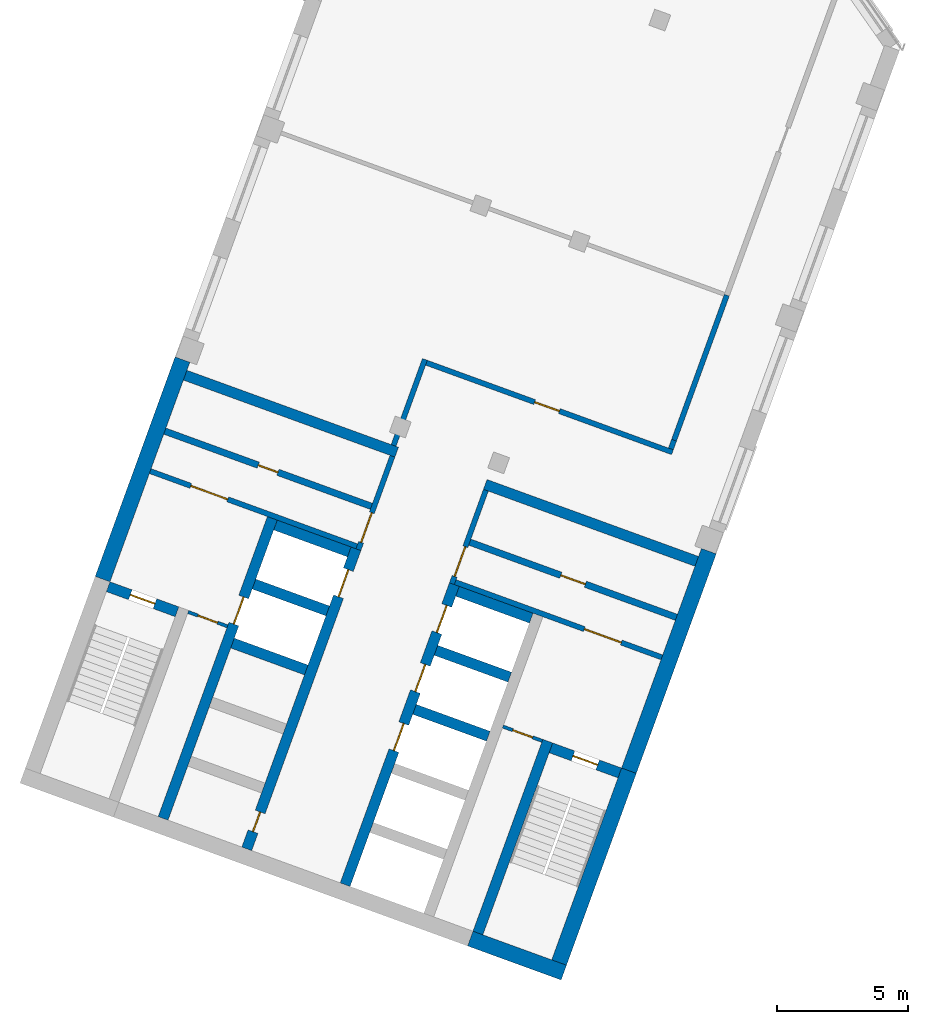
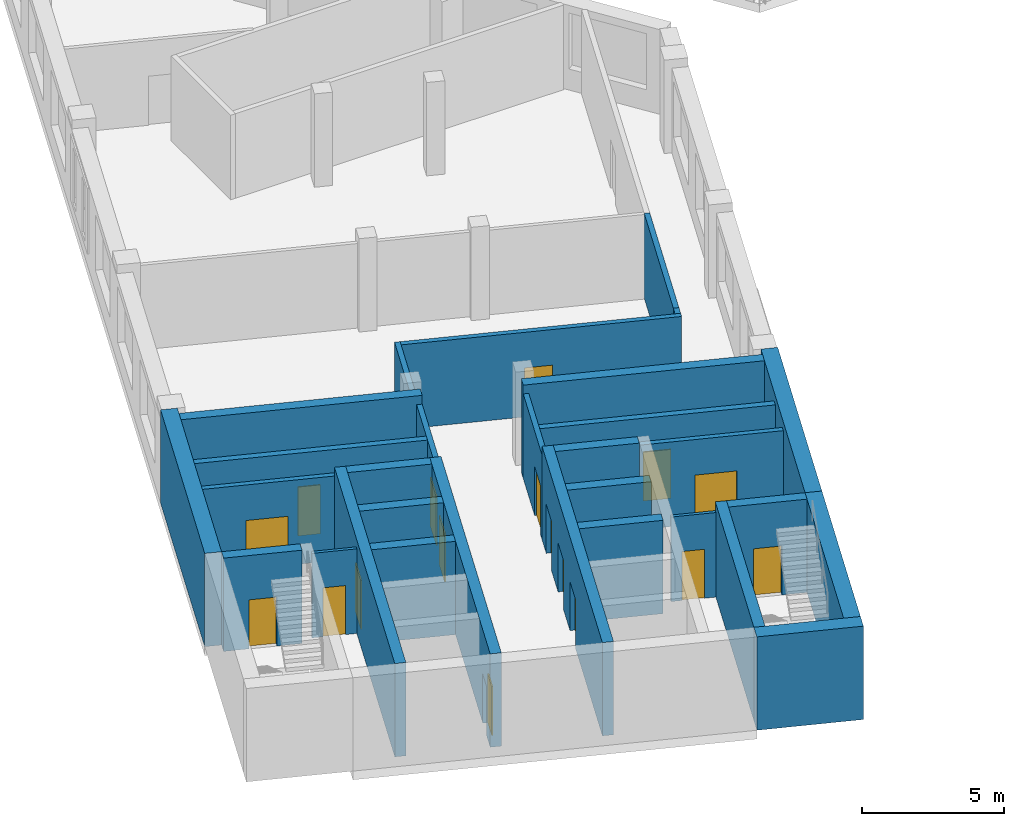
# One storey, part 4 of 11: 30 walls, 17 doors, 17 openings.
"""IFC4 building model written with IfcOpenShell, lengths in metres."""

from ifc_helpers import new_model, si_unit, direction, frame, frame_2d, origin, place, context, subcontext, project, spatial, rectangle, extrude, material, layer, layer_set, type_object, element, fill, save


model = new_model("IFC4")

# Units and contexts
model_context = context("Model", 3, precision=1e-05, world=origin(), true_north=direction((0.0, 1.0)))
body_context = subcontext(model_context, "Body", "Model", "MODEL_VIEW")
ifc_project = project(units=[si_unit("LENGTHUNIT", "METRE"), si_unit("AREAUNIT", "SQUARE_METRE"), si_unit("VOLUMEUNIT", "CUBIC_METRE"), si_unit("PLANEANGLEUNIT", "RADIAN"), si_unit("MASSUNIT", "GRAM", prefix="KILO")], contexts=[model_context])

# Site, building, storey
site_placement = place(None, origin())
site = spatial("IfcSite", under=ifc_project, at=site_placement, CompositionType="ELEMENT")
building_placement = place(site_placement, origin())
building = spatial("IfcBuilding", under=site, at=building_placement, Name="Skarvind Civic Tower", CompositionType="ELEMENT")
storey_placement = place(building_placement, frame((0.0, 0.0, 109.0)))
storey = spatial("IfcBuildingStorey", under=building, at=storey_placement, Name="L25", CompositionType="ELEMENT", Elevation=109.0)

# Wall, opening, door
ifc_material_1 = material(Name="Fire-rated masonry partition", Category="masonry")
ifc_layer_1 = layer(ifc_material_1, 0.199951171875)
ifc_layer_set_1 = layer_set([ifc_layer_1], Name="Core enclosure wall 200")
wall_type_1 = type_object("IfcWallType", Name="Core enclosure wall 200", PredefinedType="PARTITIONING", material=ifc_layer_set_1)
wall_1_placement = place(storey_placement, frame((31.491455078125, 93.693359375, 0.0), z_axis=(0.0, 0.0, 1.0), x_axis=(0.341995824804, 0.939701471648, 0.0)))
wall_1 = element("IfcWall", 1, at=wall_1_placement, inside=storey, type_object=wall_type_1, Name="Core wall C2", PredefinedType="PARTITIONING", context=body_context, shape_type="SweptSolid", body=[
    extrude(rectangle(XDim=3.800048828125, YDim=0.199951171875, at=frame_2d((1.89990234375, 0.0))), origin(), (0.0, 0.0, 1.0), 3.625),
])
opening_1_placement = place(wall_1_placement, frame((0.300048828125, 0.0, 0.0)))
opening_1 = element("IfcOpeningElement", 2, at=opening_1_placement, cuts=wall_1, Name="Opening D-L25-C2-06", PredefinedType="OPENING", context=body_context, shape_type="SweptSolid", body=[
    extrude(rectangle(XDim=1.199951171875, YDim=2.10009765625, at=frame_2d((0.60009765625, 1.050048828125))), frame((0.0, 0.10986328125, 0.0), z_axis=(0.0, -1.0, 0.0), x_axis=(1.0, 0.0, 0.0)), (0.0, 0.0, 1.0), 0.219970703125),
])
ifc_material_2 = material(Name="Fire-rated steel door", Category="steel")
door_type_1 = type_object("IfcDoorType", Name="Core lobby door 1200", OperationType="NOTDEFINED", PredefinedType="DOOR", material=ifc_material_2)
door_1_placement = place(opening_1_placement, origin())
door_1 = element("IfcDoor", 3, at=door_1_placement, inside=storey, type_object=door_type_1, Name="Fire door", OperationType="DOUBLE_DOOR_SINGLE_SWING", OverallHeight=2.10009765625, OverallWidth=1.199951171875, PredefinedType="DOOR", context=body_context, shape_type="SweptSolid", body=[
    extrude(rectangle(XDim=1.199951171875, YDim=2.10009765625, at=frame_2d((0.60009765625, 1.050048828125))), frame((0.0, 0.02490234375, 0.0), z_axis=(0.0, -1.0, 0.0), x_axis=(1.0, 0.0, 0.0)), (0.0, 0.0, 1.0), 0.050048828125),
])
fill(opening_1, door_1)

wall_2_placement = place(storey_placement, frame((23.5380859375, 96.6943359375, 0.0), z_axis=(0.0, 0.0, 1.0), x_axis=(0.939691552312, -0.342023078919, 0.0)))
wall_2 = element("IfcWall", 4, at=wall_2_placement, inside=storey, type_object=wall_type_1, Name="Core wall C2", PredefinedType="PARTITIONING", context=body_context, shape_type="SweptSolid", body=[
    extrude(rectangle(XDim=8.400146484375, YDim=0.199951171875, at=frame_2d((4.2001953125, 0.0))), origin(), (0.0, 0.0, 1.0), 3.625),
])
opening_2_placement = place(wall_2_placement, frame((1.64990234375, 0.0, 0.0)))
opening_2 = element("IfcOpeningElement", 5, at=opening_2_placement, cuts=wall_2, Name="Opening D-L25-C2-07", PredefinedType="OPENING", context=body_context, shape_type="SweptSolid", body=[
    extrude(rectangle(XDim=1.5, YDim=2.10009765625, at=frame_2d((0.75, 1.050048828125))), frame((0.0, 0.10986328125, 0.0), z_axis=(0.0, -1.0, 0.0), x_axis=(1.0, 0.0, 0.0)), (0.0, 0.0, 1.0), 0.219970703125),
])
door_type_2 = type_object("IfcDoorType", Name="Fire door 1500", OperationType="NOTDEFINED", PredefinedType="DOOR", material=ifc_material_2)
door_2_placement = place(opening_2_placement, origin())
door_2 = element("IfcDoor", 6, at=door_2_placement, inside=storey, type_object=door_type_2, Name="Fire door", OperationType="DOUBLE_DOOR_SINGLE_SWING", OverallHeight=2.10009765625, OverallWidth=1.5, PredefinedType="DOOR", context=body_context, shape_type="SweptSolid", body=[
    extrude(rectangle(XDim=1.5, YDim=2.10009765625, at=frame_2d((0.75, 1.050048828125))), frame((0.0, 0.02490234375, 0.0), z_axis=(0.0, -1.0, 0.0), x_axis=(1.0, 0.0, 0.0)), (0.0, 0.0, 1.0), 0.050048828125),
])
fill(opening_2, door_2)

wall_3_placement = place(storey_placement, frame((36.36181640625, 95.96435546875, 0.0), z_axis=(0.0, 0.0, 1.0), x_axis=(-0.341995824804, -0.939701471648, 0.0)))
wall_3 = element("IfcWall", 7, at=wall_3_placement, inside=storey, type_object=wall_type_1, Name="Core wall C2", PredefinedType="PARTITIONING", context=body_context, shape_type="SweptSolid", body=[
    extrude(rectangle(XDim=3.800048828125, YDim=0.199951171875, at=frame_2d((1.89990234375, 0.0))), origin(), (0.0, 0.0, 1.0), 3.625),
])
opening_3_placement = place(wall_3_placement, frame((2.300048828125, 0.0, 0.0)))
opening_3 = element("IfcOpeningElement", 8, at=opening_3_placement, cuts=wall_3, Name="Opening D-L25-C2-11", PredefinedType="OPENING", context=body_context, shape_type="SweptSolid", body=[
    extrude(rectangle(XDim=1.199951171875, YDim=2.10009765625, at=frame_2d((0.60009765625, 1.050048828125))), frame((0.0, 0.10986328125, 0.0), z_axis=(0.0, -1.0, 0.0), x_axis=(1.0, 0.0, 0.0)), (0.0, 0.0, 1.0), 0.219970703125),
])
door_3_placement = place(opening_3_placement, origin())
door_3 = element("IfcDoor", 9, at=door_3_placement, inside=storey, type_object=door_type_1, Name="Fire door", OperationType="DOUBLE_DOOR_SINGLE_SWING", OverallHeight=2.10009765625, OverallWidth=1.199951171875, PredefinedType="DOOR", context=body_context, shape_type="SweptSolid", body=[
    extrude(rectangle(XDim=1.199951171875, YDim=2.10009765625, at=frame_2d((0.60009765625, 1.050048828125))), frame((0.0, 0.02490234375, 0.0), z_axis=(0.0, -1.0, 0.0), x_axis=(1.0, 0.0, 0.0)), (0.0, 0.0, 1.0), 0.050048828125),
])
fill(opening_3, door_3)

wall_4_placement = place(storey_placement, frame((35.1904296875, 92.453369140625, 0.0), z_axis=(0.0, 0.0, 1.0), x_axis=(0.939691552312, -0.342023078919, 0.0)))
wall_4 = element("IfcWall", 10, at=wall_4_placement, inside=storey, type_object=wall_type_1, Name="Core wall C2", PredefinedType="PARTITIONING", context=body_context, shape_type="SweptSolid", body=[
    extrude(rectangle(XDim=8.400146484375, YDim=0.199951171875, at=frame_2d((4.2001953125, 0.0))), origin(), (0.0, 0.0, 1.0), 3.625),
])
opening_4_placement = place(wall_4_placement, frame((5.25, 0.0, 0.0)))
opening_4 = element("IfcOpeningElement", 11, at=opening_4_placement, cuts=wall_4, Name="Opening D-L25-C2-12", PredefinedType="OPENING", context=body_context, shape_type="SweptSolid", body=[
    extrude(rectangle(XDim=1.5, YDim=2.10009765625, at=frame_2d((0.75, 1.050048828125))), frame((0.0, 0.10986328125, 0.0), z_axis=(0.0, -1.0, 0.0), x_axis=(1.0, 0.0, 0.0)), (0.0, 0.0, 1.0), 0.219970703125),
])
door_4_placement = place(opening_4_placement, origin())
door_4 = element("IfcDoor", 12, at=door_4_placement, inside=storey, type_object=door_type_2, Name="Fire door", OperationType="DOUBLE_DOOR_SINGLE_SWING", OverallHeight=2.10009765625, OverallWidth=1.5, PredefinedType="DOOR", context=body_context, shape_type="SweptSolid", body=[
    extrude(rectangle(XDim=1.5, YDim=2.10009765625, at=frame_2d((0.75, 1.050048828125))), frame((0.0, 0.02490234375, 0.0), z_axis=(0.0, -1.0, 0.0), x_axis=(1.0, 0.0, 0.0)), (0.0, 0.0, 1.0), 0.050048828125),
])
fill(opening_4, door_4)

# Wall
ifc_material_3 = material(Name="Concrete C80", Category="concrete")
ifc_layer_2 = layer(ifc_material_3, 0.39990234375)
ifc_layer_set_2 = layer_set([ifc_layer_2], Name="Core wall 400 C80")
wall_type_2 = type_object("IfcWallType", Name="Core wall 400 C80", PredefinedType="SHEAR", material=ifc_layer_set_2)
wall_5_placement = place(storey_placement, frame((36.057861328125, 79.04833984375, 0.0), z_axis=(0.0, 0.0, 1.0), x_axis=(0.342016982193, 0.939693771338, 0.0)))
element("IfcWall", 13, at=wall_5_placement, inside=storey, type_object=wall_type_2, Name="Core wall C2 south stair inner L25", PredefinedType="SHEAR", context=body_context, shape_type="SweptSolid", body=[
    extrude(rectangle(XDim=7.800048828125, YDim=0.39990234375, at=frame_2d((3.89990234375, 0.0))), origin(), (0.0, 0.0, 1.0), 4.0),
])

# Wall, opening, door
wall_6_placement = place(storey_placement, frame((41.476318359375, 85.163818359375, 0.0), z_axis=(0.0, 0.0, 1.0), x_axis=(-0.939678810556, 0.342058084236, 0.0)))
wall_6 = element("IfcWall", 14, at=wall_6_placement, inside=storey, type_object=wall_type_2, Name="Core wall C2 south stair end L25", PredefinedType="SHEAR", context=body_context, shape_type="SweptSolid", body=[
    extrude(rectangle(XDim=2.800048828125, YDim=0.39990234375, at=frame_2d((1.39990234375, 0.0))), origin(), (0.0, 0.0, 1.0), 4.0),
])
opening_5_placement = place(wall_6_placement, frame((0.89990234375, 0.0, 0.0)))
opening_5 = element("IfcOpeningElement", 15, at=opening_5_placement, cuts=wall_6, Name="Opening D-L25-C2-13", PredefinedType="OPENING", context=body_context, shape_type="SweptSolid", body=[
    extrude(rectangle(XDim=1.0, YDim=2.10009765625, at=frame_2d((0.5, 1.050048828125))), frame((0.0, 0.2099609375, 0.0), z_axis=(0.0, -1.0, 0.0), x_axis=(1.0, 0.0, 0.0)), (0.0, 0.0, 1.0), 0.419921875),
])
door_type_3 = type_object("IfcDoorType", Name="Fire door 1000", OperationType="NOTDEFINED", PredefinedType="DOOR", material=ifc_material_2)
door_5_placement = place(opening_5_placement, origin())
door_5 = element("IfcDoor", 16, at=door_5_placement, inside=storey, type_object=door_type_3, Name="Fire door", OperationType="SINGLE_SWING_RIGHT", OverallHeight=2.10009765625, OverallWidth=1.0, PredefinedType="DOOR", context=body_context, shape_type="SweptSolid", body=[
    extrude(rectangle(XDim=1.0, YDim=2.10009765625, at=frame_2d((0.5, 1.050048828125))), frame((0.0, 0.02490234375, 0.0), z_axis=(0.0, -1.0, 0.0), x_axis=(1.0, 0.0, 0.0)), (0.0, 0.0, 1.0), 0.050048828125),
])
fill(opening_5, door_5)

wall_7_placement = place(storey_placement, frame((24.56201171875, 91.3203125, 0.0), z_axis=(0.0, 0.0, 1.0), x_axis=(-0.939717030584, 0.341953070509, 0.0)))
wall_7 = element("IfcWall", 17, at=wall_7_placement, inside=storey, type_object=wall_type_2, Name="Core wall C2 north stair end L25", PredefinedType="SHEAR", context=body_context, shape_type="SweptSolid", body=[
    extrude(rectangle(XDim=2.800048828125, YDim=0.39990234375, at=frame_2d((1.39990234375, 0.0))), origin(), (0.0, 0.0, 1.0), 4.0),
])
opening_6_placement = place(wall_7_placement, frame((0.89990234375, 0.0, 0.0)))
opening_6 = element("IfcOpeningElement", 18, at=opening_6_placement, cuts=wall_7, Name="Opening D-L25-C2-08", PredefinedType="OPENING", context=body_context, shape_type="SweptSolid", body=[
    extrude(rectangle(XDim=1.0, YDim=2.10009765625, at=frame_2d((0.5, 1.050048828125))), frame((0.0, 0.2099609375, 0.0), z_axis=(0.0, -1.0, 0.0), x_axis=(1.0, 0.0, 0.0)), (0.0, 0.0, 1.0), 0.419921875),
])
door_6_placement = place(opening_6_placement, origin())
door_6 = element("IfcDoor", 19, at=door_6_placement, inside=storey, type_object=door_type_3, Name="Fire door", OperationType="SINGLE_SWING_LEFT", OverallHeight=2.10009765625, OverallWidth=1.0, PredefinedType="DOOR", context=body_context, shape_type="SweptSolid", body=[
    extrude(rectangle(XDim=1.0, YDim=2.10009765625, at=frame_2d((0.5, 1.050048828125))), frame((0.0, 0.02490234375, 0.0), z_axis=(0.0, -1.0, 0.0), x_axis=(1.0, 0.0, 0.0)), (0.0, 0.0, 1.0), 0.050048828125),
])
fill(opening_6, door_6)

# Wall, openings, doors
wall_8_placement = place(storey_placement, frame((30.983642578125, 80.895263671875, 0.0), z_axis=(0.0, 0.0, 1.0), x_axis=(0.342021021735, 0.939692301071, 0.0)))
wall_8 = element("IfcWall", 20, at=wall_8_placement, inside=storey, type_object=wall_type_2, Name="Core wall C2 south lift row front L25", PredefinedType="SHEAR", context=body_context, shape_type="SweptSolid", body=[
    extrude(rectangle(XDim=12.199951171875, YDim=0.39990234375, at=frame_2d((6.10009765625, 0.0))), origin(), (0.0, 0.0, 1.0), 4.0),
])
opening_7_placement = place(wall_8_placement, frame((5.449951171875, 0.0, 0.0)))
opening_7 = element("IfcOpeningElement", 21, at=opening_7_placement, cuts=wall_8, Name="Opening LD27208", PredefinedType="OPENING", context=body_context, shape_type="SweptSolid", body=[
    extrude(rectangle(XDim=1.10009765625, YDim=2.10009765625, at=frame_2d((0.550048828125, 1.050048828125))), frame((0.0, 0.2099609375, 0.0), z_axis=(0.0, -1.0, 0.0), x_axis=(1.0, 0.0, 0.0)), (0.0, 0.0, 1.0), 0.419921875),
])
opening_8_placement = place(wall_8_placement, frame((7.85009765625, 0.0, 0.0)))
opening_8 = element("IfcOpeningElement", 22, at=opening_8_placement, cuts=wall_8, Name="Opening LD27209", PredefinedType="OPENING", context=body_context, shape_type="SweptSolid", body=[
    extrude(rectangle(XDim=1.10009765625, YDim=2.10009765625, at=frame_2d((0.550048828125, 1.050048828125))), frame((0.0, 0.2099609375, 0.0), z_axis=(0.0, -1.0, 0.0), x_axis=(1.0, 0.0, 0.0)), (0.0, 0.0, 1.0), 0.419921875),
])
opening_9_placement = place(wall_8_placement, frame((10.25, 0.0, 0.0)))
opening_9 = element("IfcOpeningElement", 23, at=opening_9_placement, cuts=wall_8, Name="Opening LD27210", PredefinedType="OPENING", context=body_context, shape_type="SweptSolid", body=[
    extrude(rectangle(XDim=1.10009765625, YDim=2.10009765625, at=frame_2d((0.550048828125, 1.050048828125))), frame((0.0, 0.2099609375, 0.0), z_axis=(0.0, -1.0, 0.0), x_axis=(1.0, 0.0, 0.0)), (0.0, 0.0, 1.0), 0.419921875),
])
ifc_material_4 = material(Name="Stainless steel landing door", Category="steel")
door_type_4 = type_object("IfcDoorType", Name="Lift landing door 1100", OperationType="DOUBLE_DOOR_SLIDING", PredefinedType="DOOR", material=ifc_material_4)
door_7_placement = place(opening_7_placement, origin())
door_7 = element("IfcDoor", 24, at=door_7_placement, inside=storey, type_object=door_type_4, Name="Lift landing door", OperationType="DOUBLE_DOOR_SLIDING", OverallHeight=2.10009765625, OverallWidth=1.10009765625, PredefinedType="DOOR", context=body_context, shape_type="SweptSolid", body=[
    extrude(rectangle(XDim=1.10009765625, YDim=2.10009765625, at=frame_2d((0.550048828125, 1.050048828125))), frame((0.0, 0.02490234375, 0.0), z_axis=(0.0, -1.0, 0.0), x_axis=(1.0, 0.0, 0.0)), (0.0, 0.0, 1.0), 0.050048828125),
])
fill(opening_7, door_7)
door_8_placement = place(opening_8_placement, origin())
door_8 = element("IfcDoor", 25, at=door_8_placement, inside=storey, type_object=door_type_4, Name="Lift landing door", OperationType="DOUBLE_DOOR_SLIDING", OverallHeight=2.10009765625, OverallWidth=1.10009765625, PredefinedType="DOOR", context=body_context, shape_type="SweptSolid", body=[
    extrude(rectangle(XDim=1.10009765625, YDim=2.10009765625, at=frame_2d((0.550048828125, 1.050048828125))), frame((0.0, 0.02490234375, 0.0), z_axis=(0.0, -1.0, 0.0), x_axis=(1.0, 0.0, 0.0)), (0.0, 0.0, 1.0), 0.050048828125),
])
fill(opening_8, door_8)
door_9_placement = place(opening_9_placement, origin())
door_9 = element("IfcDoor", 26, at=door_9_placement, inside=storey, type_object=door_type_4, Name="Lift landing door", OperationType="DOUBLE_DOOR_SLIDING", OverallHeight=2.10009765625, OverallWidth=1.10009765625, PredefinedType="DOOR", context=body_context, shape_type="SweptSolid", body=[
    extrude(rectangle(XDim=1.10009765625, YDim=2.10009765625, at=frame_2d((0.550048828125, 1.050048828125))), frame((0.0, 0.02490234375, 0.0), z_axis=(0.0, -1.0, 0.0), x_axis=(1.0, 0.0, 0.0)), (0.0, 0.0, 1.0), 0.050048828125),
])
fill(opening_9, door_9)

# Walls
for number, where, z_axis, x_axis, name in (
    (27, (36.453125, 86.56640625, 0.0), (0.0, 0.0, 1.0), (-0.939686455819, 0.342037080957, 0.0), "Core wall C2 south lift row division 3 L25"),
    (28, (37.27392578125, 88.82177734375, 0.0), (0.0, 0.0, 1.0), (-0.939686455819, 0.342037080957, 0.0), "Core wall C2 south lift row division 4 L25"),
):
    element("IfcWall", number, at=place(storey_placement, frame(where, z_axis=z_axis, x_axis=x_axis)), inside=storey, type_object=wall_type_2, Name=name, PredefinedType="SHEAR", context=body_context, shape_type="SweptSolid", body=[
        extrude(rectangle(XDim=3.0, YDim=0.39990234375, at=frame_2d((1.5, 0.0))), origin(), (0.0, 0.0, 1.0), 4.0),
    ])
wall_9_placement = place(storey_placement, frame((38.0947265625, 91.076904296875, 0.0), z_axis=(0.0, 0.0, 1.0), x_axis=(-0.939676934218, 0.342063238742, 0.0)))
element("IfcWall", 29, at=wall_9_placement, inside=storey, type_object=wall_type_2, Name="Core wall C2 south lift row division 5 L25", PredefinedType="SHEAR", context=body_context, shape_type="SweptSolid", body=[
    extrude(rectangle(XDim=2.999755859375, YDim=0.39990234375, at=frame_2d((1.5, 0.0))), origin(), (0.0, 0.0, 1.0), 4.0),
])

# Wall, openings, doors
wall_10_placement = place(storey_placement, frame((27.224853515625, 82.26318359375, 0.0), z_axis=(0.0, 0.0, 1.0), x_axis=(0.342014590177, 0.939694641948, 0.0)))
wall_10 = element("IfcWall", 30, at=wall_10_placement, inside=storey, type_object=wall_type_2, Name="Core wall C2 north lift row front L25", PredefinedType="SHEAR", context=body_context, shape_type="SweptSolid", body=[
    extrude(rectangle(XDim=12.2001953125, YDim=0.39990234375, at=frame_2d((6.10009765625, 0.0))), origin(), (0.0, 0.0, 1.0), 4.0),
])
opening_10_placement = place(wall_10_placement, frame((10.25, 0.0, 0.0)))
opening_10 = element("IfcOpeningElement", 31, at=opening_10_placement, cuts=wall_10, Name="Opening LD27205", PredefinedType="OPENING", context=body_context, shape_type="SweptSolid", body=[
    extrude(rectangle(XDim=1.10009765625, YDim=2.10009765625, at=frame_2d((0.550048828125, 1.050048828125))), frame((0.0, 0.2099609375, 0.0), z_axis=(0.0, -1.0, 0.0), x_axis=(1.0, 0.0, 0.0)), (0.0, 0.0, 1.0), 0.419921875),
])
opening_11_placement = place(wall_10_placement, frame((0.699951171875, 0.0, 0.0)))
opening_11 = element("IfcOpeningElement", 32, at=opening_11_placement, cuts=wall_10, Name="Opening D-L25-C2-05", PredefinedType="OPENING", context=body_context, shape_type="SweptSolid", body=[
    extrude(rectangle(XDim=0.800048828125, YDim=2.10009765625, at=frame_2d((0.39990234375, 1.050048828125))), frame((0.0, 0.2099609375, 0.0), z_axis=(0.0, -1.0, 0.0), x_axis=(1.0, 0.0, 0.0)), (0.0, 0.0, 1.0), 0.419921875),
])
door_type_5 = type_object("IfcDoorType", Name="Core riser door 800", OperationType="NOTDEFINED", PredefinedType="DOOR", material=ifc_material_2)
door_10_placement = place(opening_11_placement, origin())
door_10 = element("IfcDoor", 33, at=door_10_placement, inside=storey, type_object=door_type_5, Name="Riser door", OperationType="SINGLE_SWING_LEFT", OverallHeight=2.10009765625, OverallWidth=0.800048828125, PredefinedType="DOOR", context=body_context, shape_type="SweptSolid", body=[
    extrude(rectangle(XDim=0.800048828125, YDim=2.10009765625, at=frame_2d((0.39990234375, 1.050048828125))), frame((0.0, 0.02490234375, 0.0), z_axis=(0.0, -1.0, 0.0), x_axis=(1.0, 0.0, 0.0)), (0.0, 0.0, 1.0), 0.050048828125),
])
fill(opening_11, door_10)
door_11_placement = place(opening_10_placement, origin())
door_11 = element("IfcDoor", 34, at=door_11_placement, inside=storey, type_object=door_type_4, Name="Lift landing door", OperationType="DOUBLE_DOOR_SLIDING", OverallHeight=2.10009765625, OverallWidth=1.10009765625, PredefinedType="DOOR", context=body_context, shape_type="SweptSolid", body=[
    extrude(rectangle(XDim=1.10009765625, YDim=2.10009765625, at=frame_2d((0.550048828125, 1.050048828125))), frame((0.0, 0.02490234375, 0.0), z_axis=(0.0, -1.0, 0.0), x_axis=(1.0, 0.0, 0.0)), (0.0, 0.0, 1.0), 0.050048828125),
])
fill(opening_10, door_11)

# Wall, opening, door
wall_11_placement = place(storey_placement, frame((24.02978515625, 83.426025390625, 0.0), z_axis=(0.0, 0.0, 1.0), x_axis=(0.342014590177, 0.939694641948, 0.0)))
wall_11 = element("IfcWall", 35, at=wall_11_placement, inside=storey, type_object=wall_type_2, Name="Core wall C2 north lift row back L25", PredefinedType="SHEAR", context=body_context, shape_type="SweptSolid", body=[
    extrude(rectangle(XDim=12.2001953125, YDim=0.39990234375, at=frame_2d((6.10009765625, 0.0))), origin(), (0.0, 0.0, 1.0), 4.0),
])
opening_12_placement = place(wall_11_placement, frame((7.89990234375, 0.0, 0.0)))
opening_12 = element("IfcOpeningElement", 36, at=opening_12_placement, cuts=wall_11, Name="Opening LD27204", PredefinedType="OPENING", context=body_context, shape_type="SweptSolid", body=[
    extrude(rectangle(XDim=1.10009765625, YDim=2.10009765625, at=frame_2d((0.550048828125, 1.050048828125))), frame((0.0, 0.2099609375, 0.0), z_axis=(0.0, -1.0, 0.0), x_axis=(1.0, 0.0, 0.0)), (0.0, 0.0, 1.0), 0.419921875),
])
door_12_placement = place(opening_12_placement, origin())
door_12 = element("IfcDoor", 37, at=door_12_placement, inside=storey, type_object=door_type_4, Name="Lift landing door", OperationType="DOUBLE_DOOR_SLIDING", OverallHeight=2.10009765625, OverallWidth=1.10009765625, PredefinedType="DOOR", context=body_context, shape_type="SweptSolid", body=[
    extrude(rectangle(XDim=1.10009765625, YDim=2.10009765625, at=frame_2d((0.550048828125, 1.050048828125))), frame((0.0, 0.02490234375, 0.0), z_axis=(0.0, -1.0, 0.0), x_axis=(1.0, 0.0, 0.0)), (0.0, 0.0, 1.0), 0.050048828125),
])
fill(opening_12, door_12)

# Walls
for number, where, z_axis, x_axis, name in (
    (38, (29.49951171875, 89.097412109375, 0.0), (0.0, 0.0, 1.0), (-0.939686455819, 0.342037080957, 0.0), "Core wall C2 north lift row division 3 L25"),
    (39, (30.3203125, 91.352783203125, 0.0), (0.0, 0.0, 1.0), (-0.939712609717, 0.341965219194, 0.0), "Core wall C2 north lift row division 4 L25"),
    (40, (31.14111328125, 93.60791015625, 0.0), (0.0, 0.0, 1.0), (-0.939686455819, 0.342037080957, 0.0), "Core wall C2 north lift row division 5 L25"),
):
    element("IfcWall", number, at=place(storey_placement, frame(where, z_axis=z_axis, x_axis=x_axis)), inside=storey, type_object=wall_type_2, Name=name, PredefinedType="SHEAR", context=body_context, shape_type="SweptSolid", body=[
        extrude(rectangle(XDim=3.0, YDim=0.39990234375, at=frame_2d((1.5, 0.0))), origin(), (0.0, 0.0, 1.0), 4.0),
    ])
for number, where, z_axis, x_axis, name in (
    (41, (44.417724609375, 93.2451171875, 0.0), (0.0, 0.0, 1.0), (-0.93969060187, 0.342025690201, 0.0), "Core wall C2 south inner face L25"),
    (42, (32.953369140625, 97.417724609375, 0.0), (0.0, 0.0, 1.0), (-0.93969060187, 0.342025690201, 0.0), "Core wall C2 north inner face L25"),
):
    element("IfcWall", number, at=place(storey_placement, frame(where, z_axis=z_axis, x_axis=x_axis)), inside=storey, type_object=wall_type_2, Name=name, PredefinedType="SHEAR", context=body_context, shape_type="SweptSolid", body=[
        extrude(rectangle(XDim=8.599853515625, YDim=0.39990234375, at=frame_2d((4.2998046875, 0.0))), origin(), (0.0, 0.0, 1.0), 4.0),
    ])
ifc_layer_3 = layer(ifc_material_3, 0.60009765625)
ifc_layer_set_3 = layer_set([ifc_layer_3], Name="Core wall 600 C80")
wall_type_3 = type_object("IfcWallType", Name="Core wall 600 C80", PredefinedType="SHEAR", material=ifc_layer_set_3)
wall_12_placement = place(storey_placement, frame((39.338134765625, 77.53515625, 0.0), z_axis=(0.0, 0.0, 1.0), x_axis=(-0.939701471648, 0.341995824804, 0.0)))
element("IfcWall", 43, at=wall_12_placement, inside=storey, type_object=wall_type_3, Name="Core wall C2 tip at the south stair L25", PredefinedType="SHEAR", context=body_context, shape_type="SweptSolid", body=[
    extrude(rectangle(XDim=3.800048828125, YDim=0.60009765625, at=frame_2d((1.89990234375, 0.0))), origin(), (0.0, 0.0, 1.0), 4.0),
])
wall_13_placement = place(storey_placement, frame((39.158935546875, 77.919677734375, 0.0), z_axis=(0.0, 0.0, 1.0), x_axis=(0.342016982193, 0.939693771338, 0.0)))
element("IfcWall", 44, at=wall_13_placement, inside=storey, type_object=wall_type_3, Name="Core wall C2 south side at the stair L25", PredefinedType="SHEAR", context=body_context, shape_type="SweptSolid", body=[
    extrude(rectangle(XDim=7.800048828125, YDim=0.60009765625, at=frame_2d((3.89990234375, 0.0))), origin(), (0.0, 0.0, 1.0), 4.0),
])
for number, where, z_axis, x_axis, name in (
    (45, (41.82666015625, 85.249267578125, 0.0), (0.0, 0.0, 1.0), (0.342017595281, 0.939693548195, 0.0), "Core wall C2 south side L25"),
    (46, (21.71728515625, 92.568359375, 0.0), (0.0, 0.0, 1.0), (0.342017595281, 0.939693548195, 0.0), "Core wall C2 north side L25"),
):
    element("IfcWall", number, at=place(storey_placement, frame(where, z_axis=z_axis, x_axis=x_axis)), inside=storey, type_object=wall_type_3, Name=name, PredefinedType="SHEAR", context=body_context, shape_type="SweptSolid", body=[
        extrude(rectangle(XDim=8.925048828125, YDim=0.60009765625, at=frame_2d((4.46240234375, 0.0))), origin(), (0.0, 0.0, 1.0), 4.0),
    ])
ifc_material_5 = material(Name="Fire-rated blockwork wall, plastered", Category="masonry")
ifc_layer_4 = layer(ifc_material_5, 0.199951171875)
ifc_layer_set_4 = layer_set([ifc_layer_4], Name="FIRE WALL 200 EI 60")
wall_type_4 = type_object("IfcWallType", Name="FIRE WALL 200 EI 60", PredefinedType="PARTITIONING", material=ifc_layer_set_4)
wall_14_placement = place(storey_placement, frame((32.833984375, 97.674072265625, 0.0), z_axis=(0.0, 0.0, 1.0), x_axis=(0.342017493073, 0.939693585395, 0.0)))
element("IfcWall", 47, at=wall_14_placement, inside=storey, type_object=wall_type_4, Name="Portal partition L25 002", PredefinedType="PARTITIONING", context=body_context, shape_type="SweptSolid", body=[
    extrude(rectangle(XDim=3.5, YDim=0.199951171875, at=frame_2d((1.75, 0.0))), origin(), (0.0, 0.0, 1.0), 3.625),
])

# Wall, opening, door
wall_15_placement = place(storey_placement, frame((34.091064453125, 100.8349609375, 0.0), z_axis=(0.0, 0.0, 1.0), x_axis=(0.939702148643, -0.341993964619, 0.0)))
wall_15 = element("IfcWall", 48, at=wall_15_placement, inside=storey, type_object=wall_type_4, Name="Portal partition L25 004", PredefinedType="PARTITIONING", context=body_context, shape_type="SweptSolid", body=[
    extrude(rectangle(XDim=10.0, YDim=0.199951171875, at=frame_2d((5.0, 0.0))), origin(), (0.0, 0.0, 1.0), 3.625),
])
opening_13_placement = place(wall_15_placement, frame((4.39990234375, 0.0, 0.0)))
opening_13 = element("IfcOpeningElement", 49, at=opening_13_placement, cuts=wall_15, Name="Opening L25-D202", PredefinedType="OPENING", context=body_context, shape_type="SweptSolid", body=[
    extrude(rectangle(XDim=1.0, YDim=2.10009765625, at=frame_2d((0.5, 1.050048828125))), frame((0.0, 0.10986328125, 0.0), z_axis=(0.0, -1.0, 0.0), x_axis=(1.0, 0.0, 0.0)), (0.0, 0.0, 1.0), 0.219970703125),
])
ifc_material_6 = material(Name="Painted steel fire door leaf", Category="steel")
door_type_6 = type_object("IfcDoorType", Name="FIRE DOOR 1000X2100 STEEL", OperationType="NOTDEFINED", PredefinedType="DOOR", material=ifc_material_6)
door_13_placement = place(opening_13_placement, origin())
door_13 = element("IfcDoor", 50, at=door_13_placement, inside=storey, type_object=door_type_6, Name="FIRE DOOR", OperationType="SINGLE_SWING_LEFT", OverallHeight=2.10009765625, OverallWidth=1.0, PredefinedType="DOOR", context=body_context, shape_type="SweptSolid", body=[
    extrude(rectangle(XDim=1.0, YDim=2.10009765625, at=frame_2d((0.5, 1.050048828125))), frame((0.0, 0.02490234375, 0.0), z_axis=(0.0, -1.0, 0.0), x_axis=(1.0, 0.0, 0.0)), (0.0, 0.0, 1.0), 0.050048828125),
])
fill(opening_13, door_13)

# Walls
wall_16_placement = place(storey_placement, frame((43.427978515625, 97.54296875, 0.0), z_axis=(0.0, 0.0, 1.0), x_axis=(0.342630345101, 0.939470301083, 0.0)))
element("IfcWall", 51, at=wall_16_placement, inside=storey, type_object=wall_type_4, Name="Portal partition L25 008", PredefinedType="PARTITIONING", context=body_context, shape_type="SweptSolid", body=[
    extrude(rectangle(XDim=0.353515625, YDim=0.199951171875, at=frame_2d((0.1767578125, 0.0))), origin(), (0.0, 0.0, 1.0), 3.625),
])
wall_17_placement = place(storey_placement, frame((43.549072265625, 97.875, 0.0), z_axis=(0.0, 0.0, 1.0), x_axis=(0.342032265241, 0.939688208681, 0.0)))
element("IfcWall", 52, at=wall_17_placement, inside=storey, type_object=wall_type_4, Name="Portal partition L25 009", PredefinedType="PARTITIONING", context=body_context, shape_type="SweptSolid", body=[
    extrude(rectangle(XDim=5.896728515625, YDim=0.199951171875, at=frame_2d((2.9482421875, 0.0))), origin(), (0.0, 0.0, 1.0), 3.625),
])

# Wall, opening, door
ifc_layer_5 = layer(ifc_material_1, 0.125)
ifc_layer_set_5 = layer_set([ifc_layer_5], Name="Riser wall 125")
wall_type_5 = type_object("IfcWallType", Name="Riser wall 125", PredefinedType="PARTITIONING", material=ifc_layer_set_5)
wall_18_placement = place(storey_placement, frame((24.98486328125, 91.3125, 0.0), z_axis=(0.0, 0.0, 1.0), x_axis=(0.939708740826, -0.341975850632, 0.0)))
wall_18 = element("IfcWall", 53, at=wall_18_placement, inside=storey, type_object=wall_type_5, Name="Core wall C2", PredefinedType="PARTITIONING", context=body_context, shape_type="SweptSolid", body=[
    extrude(rectangle(XDim=1.599853515625, YDim=0.125, at=frame_2d((0.7998046875, 0.0))), origin(), (0.0, 0.0, 1.0), 3.625),
])
opening_14_placement = place(wall_18_placement, frame((0.39990234375, 0.0, 0.0)))
opening_14 = element("IfcOpeningElement", 54, at=opening_14_placement, cuts=wall_18, Name="Opening D-L25-C2-09", PredefinedType="OPENING", context=body_context, shape_type="SweptSolid", body=[
    extrude(rectangle(XDim=0.800048828125, YDim=2.10009765625, at=frame_2d((0.39990234375, 1.050048828125))), frame((0.0, 0.072509765625, 0.0), z_axis=(0.0, -1.0, 0.0), x_axis=(1.0, 0.0, 0.0)), (0.0, 0.0, 1.0), 0.14501953125),
])
door_14_placement = place(opening_14_placement, origin())
door_14 = element("IfcDoor", 55, at=door_14_placement, inside=storey, type_object=door_type_5, Name="Riser door", OperationType="SINGLE_SWING_RIGHT", OverallHeight=2.10009765625, OverallWidth=0.800048828125, PredefinedType="DOOR", context=body_context, shape_type="SweptSolid", body=[
    extrude(rectangle(XDim=0.800048828125, YDim=2.10009765625, at=frame_2d((0.39990234375, 1.050048828125))), frame((0.0, 0.02490234375, 0.0), z_axis=(0.0, -1.0, 0.0), x_axis=(1.0, 0.0, 0.0)), (0.0, 0.0, 1.0), 0.050048828125),
])
fill(opening_14, door_14)

wall_19_placement = place(storey_placement, frame((37.012939453125, 86.934814453125, 0.0), z_axis=(0.0, 0.0, 1.0), x_axis=(0.939659694648, -0.342110593602, 0.0)))
wall_19 = element("IfcWall", 56, at=wall_19_placement, inside=storey, type_object=wall_type_5, Name="Core wall C2", PredefinedType="PARTITIONING", context=body_context, shape_type="SweptSolid", body=[
    extrude(rectangle(XDim=1.599853515625, YDim=0.125, at=frame_2d((0.7998046875, 0.0))), origin(), (0.0, 0.0, 1.0), 3.625),
])
opening_15_placement = place(wall_19_placement, frame((0.39990234375, 0.0, 0.0)))
opening_15 = element("IfcOpeningElement", 57, at=opening_15_placement, cuts=wall_19, Name="Opening D-L25-C2-14", PredefinedType="OPENING", context=body_context, shape_type="SweptSolid", body=[
    extrude(rectangle(XDim=0.800048828125, YDim=2.10009765625, at=frame_2d((0.39990234375, 1.050048828125))), frame((0.0, 0.072509765625, 0.0), z_axis=(0.0, -1.0, 0.0), x_axis=(1.0, 0.0, 0.0)), (0.0, 0.0, 1.0), 0.14501953125),
])
door_15_placement = place(opening_15_placement, origin())
door_15 = element("IfcDoor", 58, at=door_15_placement, inside=storey, type_object=door_type_5, Name="Riser door", OperationType="SINGLE_SWING_LEFT", OverallHeight=2.10009765625, OverallWidth=0.800048828125, PredefinedType="DOOR", context=body_context, shape_type="SweptSolid", body=[
    extrude(rectangle(XDim=0.800048828125, YDim=2.10009765625, at=frame_2d((0.39990234375, 1.050048828125))), frame((0.0, 0.02490234375, 0.0), z_axis=(0.0, -1.0, 0.0), x_axis=(1.0, 0.0, 0.0)), (0.0, 0.0, 1.0), 0.050048828125),
])
fill(opening_15, door_15)

ifc_layer_6 = layer(ifc_material_1, 0.25)
ifc_layer_set_6 = layer_set([ifc_layer_6], Name="Service block wall 250")
wall_type_6 = type_object("IfcWallType", Name="Service block wall 250", PredefinedType="PARTITIONING", material=ifc_layer_set_6)
wall_20_placement = place(storey_placement, frame((24.093994140625, 98.221435546875, 0.0), z_axis=(0.0, 0.0, 1.0), x_axis=(0.939691552312, -0.342023078919, 0.0)))
wall_20 = element("IfcWall", 59, at=wall_20_placement, inside=storey, type_object=wall_type_6, Name="Core wall C2", PredefinedType="PARTITIONING", context=body_context, shape_type="SweptSolid", body=[
    extrude(rectangle(XDim=8.400146484375, YDim=0.25, at=frame_2d((4.2001953125, 0.0))), origin(), (0.0, 0.0, 1.0), 3.625),
])
opening_16_placement = place(wall_20_placement, frame((3.800048828125, 0.0, 0.0)))
opening_16 = element("IfcOpeningElement", 60, at=opening_16_placement, cuts=wall_20, Name="Opening D-L25-C2-10", PredefinedType="OPENING", context=body_context, shape_type="SweptSolid", body=[
    extrude(rectangle(XDim=0.800048828125, YDim=2.10009765625, at=frame_2d((0.39990234375, 1.050048828125))), frame((0.0, 0.135009765625, 0.0), z_axis=(0.0, -1.0, 0.0), x_axis=(1.0, 0.0, 0.0)), (0.0, 0.0, 1.0), 0.27001953125),
])
door_16_placement = place(opening_16_placement, origin())
door_16 = element("IfcDoor", 61, at=door_16_placement, inside=storey, type_object=door_type_5, Name="Riser door", OperationType="SINGLE_SWING_LEFT", OverallHeight=2.10009765625, OverallWidth=0.800048828125, PredefinedType="DOOR", context=body_context, shape_type="SweptSolid", body=[
    extrude(rectangle(XDim=0.800048828125, YDim=2.10009765625, at=frame_2d((0.39990234375, 1.050048828125))), frame((0.0, 0.02490234375, 0.0), z_axis=(0.0, -1.0, 0.0), x_axis=(1.0, 0.0, 0.0)), (0.0, 0.0, 1.0), 0.050048828125),
])
fill(opening_16, door_16)

wall_21_placement = place(storey_placement, frame((35.74609375, 93.98046875, 0.0), z_axis=(0.0, 0.0, 1.0), x_axis=(0.939691552312, -0.342023078919, 0.0)))
wall_21 = element("IfcWall", 62, at=wall_21_placement, inside=storey, type_object=wall_type_6, Name="Core wall C2", PredefinedType="PARTITIONING", context=body_context, shape_type="SweptSolid", body=[
    extrude(rectangle(XDim=8.400146484375, YDim=0.25, at=frame_2d((4.2001953125, 0.0))), origin(), (0.0, 0.0, 1.0), 3.625),
])
opening_17_placement = place(wall_21_placement, frame((3.699951171875, 0.0, 0.0)))
opening_17 = element("IfcOpeningElement", 63, at=opening_17_placement, cuts=wall_21, Name="Opening D-L25-C2-15", PredefinedType="OPENING", context=body_context, shape_type="SweptSolid", body=[
    extrude(rectangle(XDim=1.0, YDim=2.10009765625, at=frame_2d((0.5, 1.050048828125))), frame((0.0, 0.135009765625, 0.0), z_axis=(0.0, -1.0, 0.0), x_axis=(1.0, 0.0, 0.0)), (0.0, 0.0, 1.0), 0.27001953125),
])
door_17_placement = place(opening_17_placement, origin())
door_17 = element("IfcDoor", 64, at=door_17_placement, inside=storey, type_object=door_type_3, Name="Fire door", OperationType="SINGLE_SWING_RIGHT", OverallHeight=2.10009765625, OverallWidth=1.0, PredefinedType="DOOR", context=body_context, shape_type="SweptSolid", body=[
    extrude(rectangle(XDim=1.0, YDim=2.10009765625, at=frame_2d((0.5, 1.050048828125))), frame((0.0, 0.02490234375, 0.0), z_axis=(0.0, -1.0, 0.0), x_axis=(1.0, 0.0, 0.0)), (0.0, 0.0, 1.0), 0.050048828125),
])
fill(opening_17, door_17)

save(model, "model.ifc")
